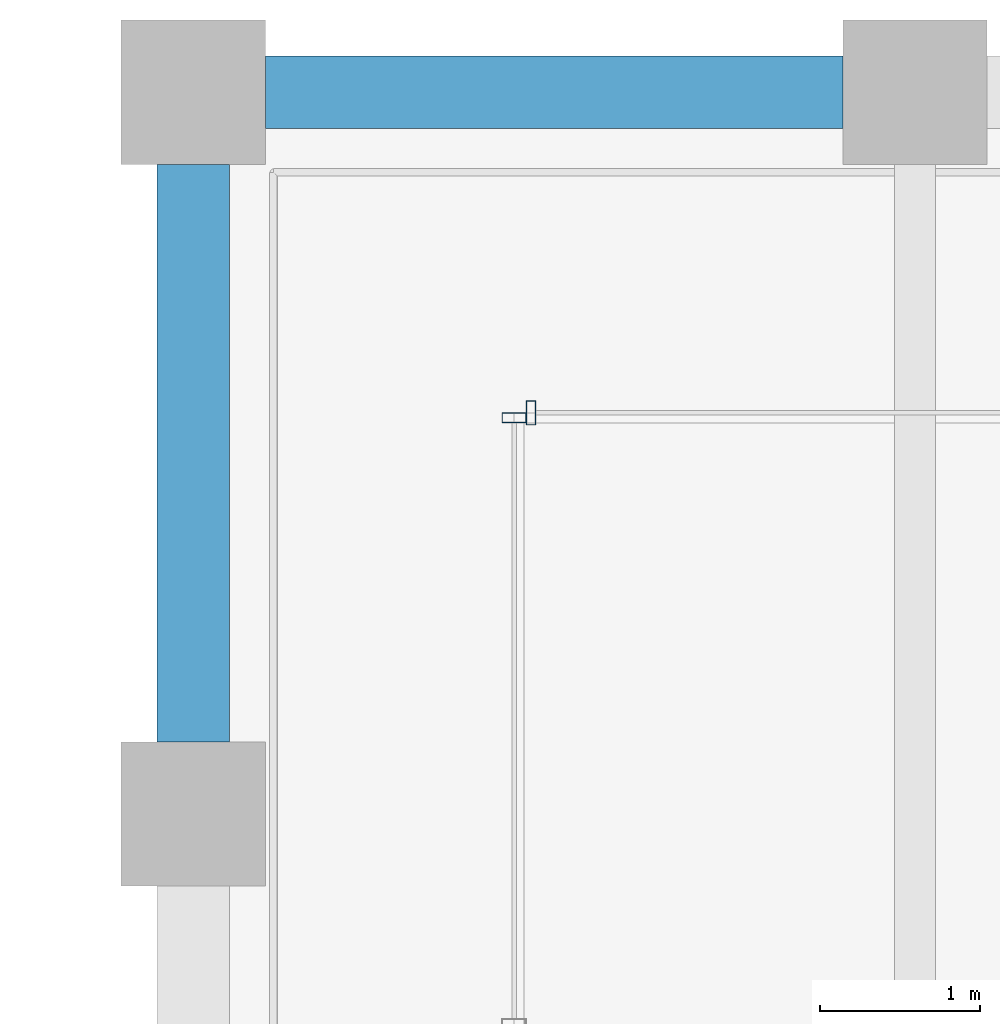
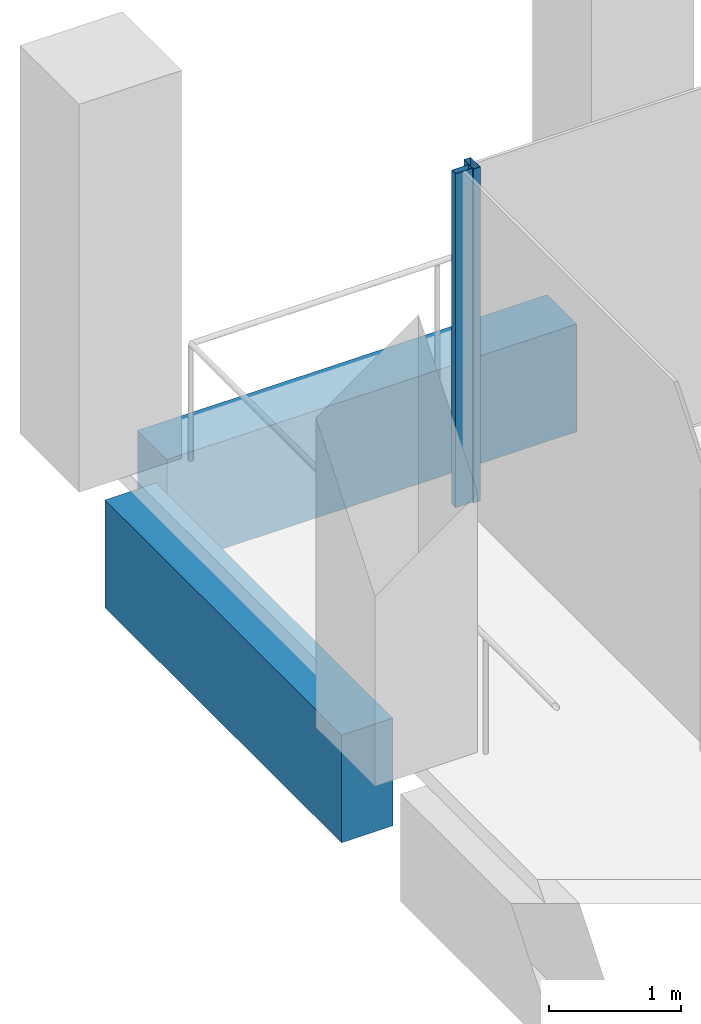
# One storey, part 21 of 40: 2 beams, 2 members, 2 elements without a shape of their own.
"""IFC4 building model written with IfcOpenShell, lengths in metres."""

from ifc_helpers import new_model, si_unit, direction, frame, origin, origin_2d, place, context, subcontext, project, spatial, rectangle, hollow_rectangle, extrude, material, material_profile, profile_set, type_object, element, aggregate, save


model = new_model("IFC4")

# Units and contexts
model_context = context("Model", 3, precision=1e-05, world=origin(), true_north=direction((0.0, 1.0)))
body_context = subcontext(model_context, "Body", "Model", "MODEL_VIEW")
ifc_project = project(units=[si_unit("LENGTHUNIT", "METRE"), si_unit("AREAUNIT", "SQUARE_METRE"), si_unit("VOLUMEUNIT", "CUBIC_METRE"), si_unit("PLANEANGLEUNIT", "RADIAN"), si_unit("MASSUNIT", "GRAM", prefix="KILO")], contexts=[model_context])

# Site, building, storey
site_placement = place(None, origin())
site = spatial("IfcSite", under=ifc_project, at=site_placement, CompositionType="ELEMENT")
building_placement = place(site_placement, origin())
building = spatial("IfcBuilding", under=site, at=building_placement, Name="Altepetl Exchange Towers", CompositionType="ELEMENT")
storey_placement = place(building_placement, frame((0.0, 0.0, 158.199951171875)))
storey = spatial("IfcBuildingStorey", under=building, at=storey_placement, Name="L39", CompositionType="ELEMENT", Elevation=158.199951171875)

# Curtain wall, member
ifc_material_1 = material(Name="Aluminium 6063-T6 glazing", Category="aluminium")
curtain_wall_type = type_object("IfcCurtainWallType", Name="Loggia glazing system", PredefinedType="NOTDEFINED", material=ifc_material_1)
curtain_wall_1_placement = place(storey_placement, origin())
curtain_wall_1 = element("IfcCurtainWall", 1, at=curtain_wall_1_placement, inside=storey, type_object=curtain_wall_type, Name="CW1 run", PredefinedType="NOTDEFINED")
ifc_material_2 = material(Name="Aluminium 6063-T6", Category="aluminium")
ifc_material_profile_1 = material_profile(ifc_material_2, hollow_rectangle(XDim=0.06005859375, YDim=0.14990234375, WallThickness=0.0029296875, at=origin_2d()), Name="Mullion 60x150 aluminium")
ifc_profile_set_1 = profile_set([ifc_material_profile_1], Name="Aluminium 6063-T6")
member_type = type_object("IfcMemberType", Name="Mullion 60x150 aluminium", PredefinedType="MULLION", material=ifc_profile_set_1)
member_1_placement = place(storey_placement, frame((42.60498046875, 70.0, 0.0), z_axis=(0.0, 0.0, 1.0), x_axis=(-1.0, 0.0, 0.0)))
member_1 = element("IfcMember", 2, at=member_1_placement, type_object=member_type, Name="MU1 mullion", PredefinedType="MULLION", context=body_context, shape_type="SweptSolid", body=[
    extrude(hollow_rectangle(XDim=0.06005859375, YDim=0.14990234375, WallThickness=0.0029296875, at=origin_2d()), origin(), (0.0, 0.0, 1.0), 3.10009765625),
])
aggregate(curtain_wall_1, [member_1])

curtain_wall_2_placement = place(storey_placement, origin())
curtain_wall_2 = element("IfcCurtainWall", 3, at=curtain_wall_2_placement, inside=storey, type_object=curtain_wall_type, Name="CW1 run", PredefinedType="NOTDEFINED")
member_2_placement = place(storey_placement, frame((42.5, 69.969970703125, 0.0), z_axis=(0.0, 0.0, 1.0), x_axis=(0.0, -1.0, 0.0)))
member_2 = element("IfcMember", 4, at=member_2_placement, type_object=member_type, Name="MU1 mullion", PredefinedType="MULLION", context=body_context, shape_type="SweptSolid", body=[
    extrude(hollow_rectangle(XDim=0.06005859375, YDim=0.14990234375, WallThickness=0.0029296875, at=origin_2d()), origin(), (0.0, 0.0, 1.0), 3.10009765625),
])
aggregate(curtain_wall_2, [member_2])

# Beams
ifc_material_3 = material(Name="Concrete C50/60 precast with cantera rosa facing", Category="concrete")
ifc_material_profile_2 = material_profile(ifc_material_3, rectangle(XDim=0.449951171875, YDim=1.0, at=origin_2d()), Name="450 x 1000")
ifc_profile_set_2 = profile_set([ifc_material_profile_2], Name="Concrete C50/60 precast with cantera rosa facing")
beam_type_1 = type_object("IfcBeamType", Name="Spandrel beam 450x1000 cantera rosa", PredefinedType="SPANDREL", material=ifc_profile_set_2)
beam_1_placement = place(storey_placement, frame((44.550048828125, 72.0, -0.64990234375), z_axis=(-1.0, 0.0, 0.0), x_axis=(0.0, -1.0, 0.0)))
element("IfcBeam", 5, at=beam_1_placement, inside=storey, type_object=beam_type_1, Name="sp:A:L39:029", PredefinedType="SPANDREL", context=body_context, shape_type="SweptSolid", body=[
    extrude(rectangle(XDim=0.449951171875, YDim=1.0, at=origin_2d()), origin(), (0.0, 0.0, 1.0), 3.60009765625),
])
ifc_material_4 = material(Name="Concrete C50/60 precast with tezontle facing", Category="concrete")
ifc_material_profile_3 = material_profile(ifc_material_4, rectangle(XDim=0.449951171875, YDim=1.0, at=origin_2d()), Name="450 x 1000")
ifc_profile_set_3 = profile_set([ifc_material_profile_3], Name="Concrete C50/60 precast with tezontle facing")
beam_type_2 = type_object("IfcBeamType", Name="Spandrel beam 450x1000 tezontle", PredefinedType="SPANDREL", material=ifc_profile_set_3)
beam_2_placement = place(storey_placement, frame((40.5, 71.550048828125, -0.64990234375), z_axis=(0.0, -1.0, 0.0), x_axis=(1.0, 0.0, 0.0)))
element("IfcBeam", 6, at=beam_2_placement, inside=storey, type_object=beam_type_2, Name="sp:A:L39:030", PredefinedType="SPANDREL", context=body_context, shape_type="SweptSolid", body=[
    extrude(rectangle(XDim=0.449951171875, YDim=1.0, at=origin_2d()), origin(), (0.0, 0.0, 1.0), 3.60009765625),
])

save(model, "model.ifc")
